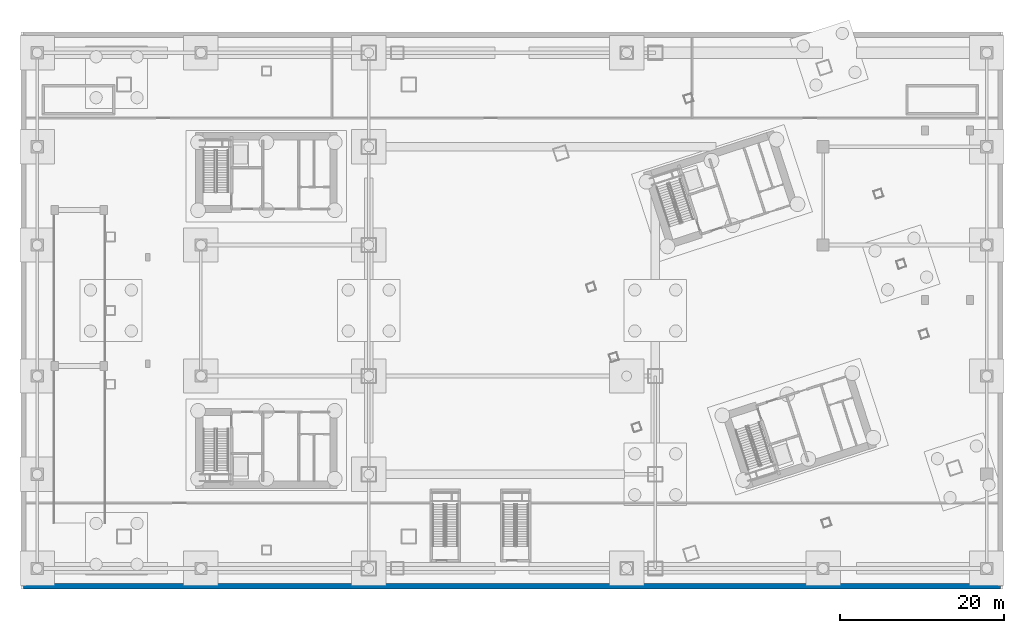
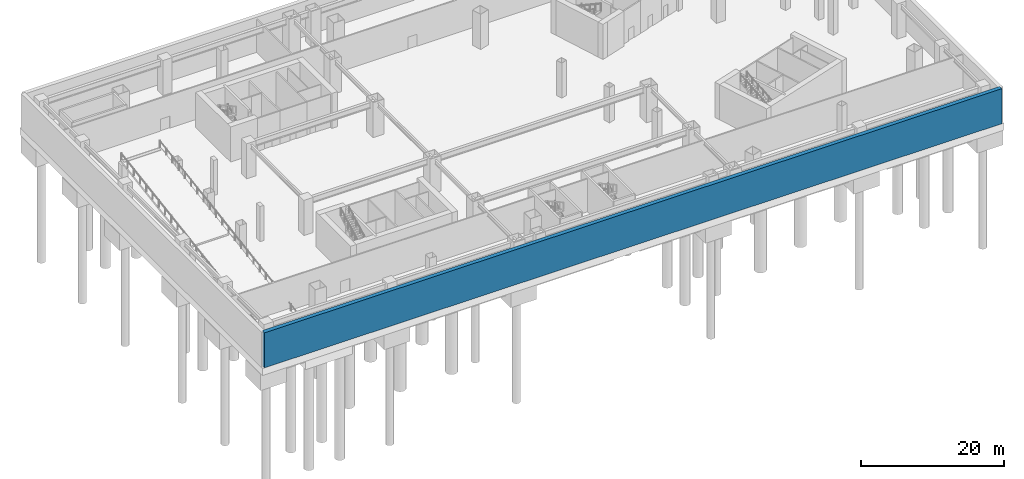
# One storey, part 7 of 20: 1 wall.
"""IFC4 building model written with IfcOpenShell, lengths in metres."""

from ifc_helpers import new_model, si_unit, direction, frame, frame_2d, origin, place, context, subcontext, project, spatial, rectangle, extrude, material, layer, layer_set, type_object, element, save


model = new_model("IFC4")

# Units and contexts
model_context = context("Model", 3, precision=1e-05, world=origin(), true_north=direction((0.0, 1.0)))
body_context = subcontext(model_context, "Body", "Model", "MODEL_VIEW")
ifc_project = project(units=[si_unit("LENGTHUNIT", "METRE"), si_unit("AREAUNIT", "SQUARE_METRE"), si_unit("VOLUMEUNIT", "CUBIC_METRE"), si_unit("PLANEANGLEUNIT", "RADIAN"), si_unit("MASSUNIT", "GRAM", prefix="KILO")], contexts=[model_context])

# Site, building, storey
site_placement = place(None, origin())
site = spatial("IfcSite", under=ifc_project, at=site_placement, CompositionType="ELEMENT")
building_placement = place(site_placement, origin())
building = spatial("IfcBuilding", under=site, at=building_placement, Name="Qiaolan Cultural Towers", CompositionType="ELEMENT")
storey_placement = place(building_placement, frame((0.0, 0.0, -12.0)))
storey = spatial("IfcBuildingStorey", under=building, at=storey_placement, Name="B2", CompositionType="ELEMENT", Elevation=-12.0)

# Wall
ifc_material = material(Name="Concrete C50", Category="concrete")
ifc_layer = layer(ifc_material, 0.64990234375)
ifc_layer_set = layer_set([ifc_layer], Name="Concrete C50")
wall_type = type_object("IfcWallType", Name="WL-RET-650", PredefinedType="SHEAR", material=ifc_layer_set)
wall_placement = place(storey_placement, frame((0.324951171875, 0.324951171875, 0.0), z_axis=(0.0, 0.0, 1.0), x_axis=(1.0, 0.0, 0.0)))
element("IfcWall", 1, at=wall_placement, inside=storey, type_object=wall_type, Name="B2 Basement Retaining Wall SOUTH", PredefinedType="SHEAR", context=body_context, shape_type="SweptSolid", body=[
    extrude(rectangle(XDim=119.35009765625, YDim=0.64990234375, at=frame_2d((59.675048828125, 0.0))), origin(), (0.0, 0.0, 1.0), 6.0),
])

save(model, "model.ifc")
